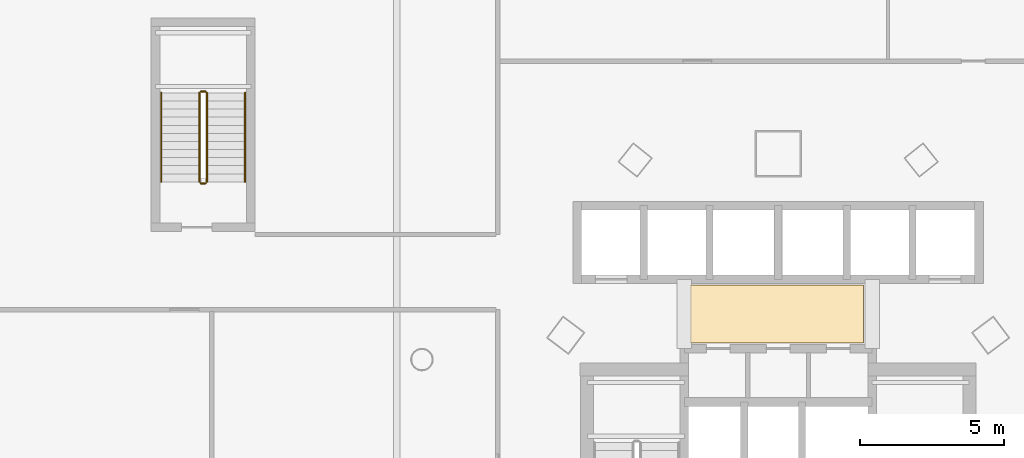
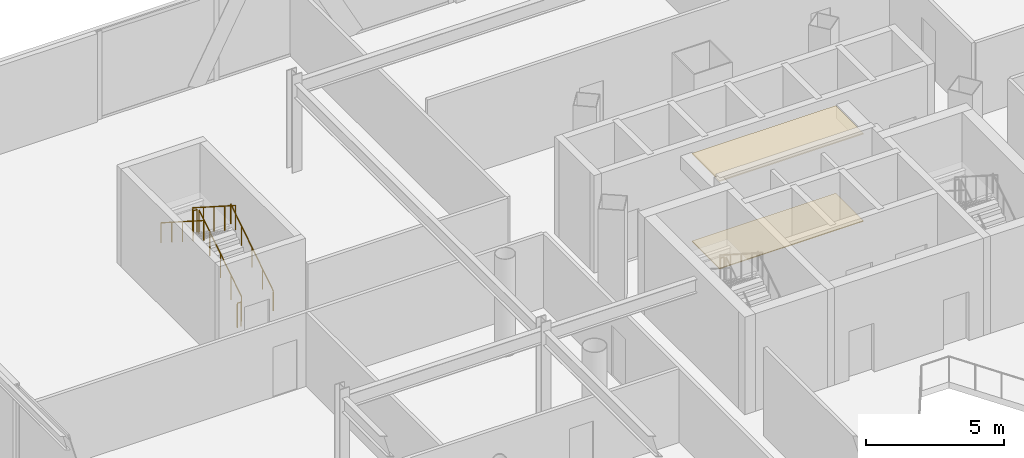
# One storey, part 44 of 46: 6 railings, 2 coverings.
"""IFC4 building model written with IfcOpenShell, lengths in metres."""

from ifc_helpers import new_model, si_unit, direction, frame, origin, origin_2d, place, context, subcontext, project, spatial, polyline, circle, outline, extrude, material, layer, layer_set, type_object, element, save


model = new_model("IFC4")

# Units and contexts
model_context = context("Model", 3, precision=1e-05, world=origin(), true_north=direction((0.0, 1.0)))
body_context = subcontext(model_context, "Body", "Model", "MODEL_VIEW")
ifc_project = project(units=[si_unit("LENGTHUNIT", "METRE"), si_unit("AREAUNIT", "SQUARE_METRE"), si_unit("VOLUMEUNIT", "CUBIC_METRE"), si_unit("PLANEANGLEUNIT", "RADIAN"), si_unit("MASSUNIT", "GRAM", prefix="KILO")], contexts=[model_context])

# Site, building, storey
site_placement = place(None, origin())
site = spatial("IfcSite", under=ifc_project, at=site_placement, CompositionType="ELEMENT")
building_placement = place(site_placement, origin())
building = spatial("IfcBuilding", under=site, at=building_placement, Name="Orvanel Arch Residences", CompositionType="ELEMENT")
storey_placement = place(building_placement, frame((0.0, 0.0, 14.10009765625)))
storey = spatial("IfcBuildingStorey", under=building, at=storey_placement, Name="L03", CompositionType="ELEMENT", Elevation=14.10009765625)

# Coverings
ifc_material_1 = material(Name="Perforated acoustic mineral-fibre ceiling tile", Category="gypsum")
ifc_layer_1 = layer(ifc_material_1, 0.050048828125)
ifc_layer_set_1 = layer_set([ifc_layer_1], Name="Perforated acoustic mineral-fibre ceiling tile")
covering_type_1 = type_object("IfcCoveringType", Name="COV-CLG-ACS50", PredefinedType="CEILING", material=ifc_layer_set_1)
covering_1_placement = place(storey_placement, frame((0.0, 0.0, 3.849853515625)))
element("IfcCovering", 1, at=covering_1_placement, inside=storey, type_object=covering_type_1, Name="L03 Lift Lobby Acoustic Ceiling", PredefinedType="CEILING", context=body_context, shape_type="SweptSolid", body=[
    extrude(outline(polyline([(29.949951171875, 34.85009765625), (35.949951171875, 34.85009765625), (35.949951171875, 36.85009765625), (29.949951171875, 36.85009765625), (29.949951171875, 34.85009765625)])), origin(), (0.0, 0.0, 1.0), 0.050048828125),
])
ifc_material_2 = material(Name="Honed cementitious terrazzo floor finish", Category="concrete")
ifc_layer_2 = layer(ifc_material_2, 0.034912109375)
ifc_layer_set_2 = layer_set([ifc_layer_2], Name="Honed cementitious terrazzo floor finish")
covering_type_2 = type_object("IfcCoveringType", Name="COV-FLR-TRZ35", PredefinedType="FLOORING", material=ifc_layer_set_2)
covering_2_placement = place(storey_placement, origin())
element("IfcCovering", 2, at=covering_2_placement, inside=storey, type_object=covering_type_2, Name="L03 Lift Lobby Terrazzo Flooring", PredefinedType="FLOORING", context=body_context, shape_type="SweptSolid", body=[
    extrude(outline(polyline([(29.949951171875, 34.85009765625), (35.949951171875, 34.85009765625), (35.949951171875, 36.85009765625), (29.949951171875, 36.85009765625), (29.949951171875, 34.85009765625)])), origin(), (0.0, 0.0, 1.0), 0.034912109375),
])

# Railings
ifc_material_3 = material(Name="Structural steel AS/NZS 1163 C350L0 (Grade 350)", Category="steel")
railing_type_1 = type_object("IfcRailingType", Name="RL-STAIR-GUARD", PredefinedType="GUARDRAIL", material=ifc_material_3)
railing_1_placement = place(storey_placement, frame((13.22998046875, 40.419921875, 0.178955078125)))
element("IfcRailing", 3, at=railing_1_placement, inside=storey, type_object=railing_type_1, Name="L03 ST-3 stair guard 1", PredefinedType="GUARDRAIL", context=body_context, shape_type="SweptSolid", body=[
    extrude(circle(Radius=0.02392578125, at=origin_2d()), frame((0.0, 0.001220703125, 1.076904296875), z_axis=(0.0, 0.842308987159, 0.53899496301), x_axis=(-1.0, 0.0, 0.0)), (0.0, 0.0, 1.0), 3.65380859375),
    extrude(circle(Radius=0.02099609375, at=origin_2d()), origin(), (0.0, 0.0, 1.0), 1.050048828125),
    extrude(circle(Radius=0.02099609375, at=origin_2d()), frame((0.0, 0.77001953125, 0.49267578125)), (0.0, 0.0, 1.0), 1.050048828125),
    extrude(circle(Radius=0.02099609375, at=origin_2d()), frame((0.0, 1.5400390625, 0.9853515625)), (0.0, 0.0, 1.0), 1.050048828125),
    extrude(circle(Radius=0.02099609375, at=origin_2d()), frame((0.0, 2.31005859375, 1.478271484375)), (0.0, 0.0, 1.0), 1.050048828125),
    extrude(circle(Radius=0.02099609375, at=origin_2d()), frame((0.0, 3.080078125, 1.970947265625)), (0.0, 0.0, 1.0), 1.050048828125),
])
railing_2_placement = place(storey_placement, frame((13.179931640625, 43.550048828125, 2.14990234375)))
element("IfcRailing", 4, at=railing_2_placement, inside=storey, type_object=railing_type_1, Name="L03 ST-3 stair guard 2", PredefinedType="GUARDRAIL", context=body_context, shape_type="SweptSolid", body=[
    extrude(circle(Radius=0.02392578125, at=origin_2d()), frame((-0.00146484375, 0.0, 1.076171875), z_axis=(-1.0, 0.0, 0.0), x_axis=(0.0, -1.0, 0.0)), (0.0, 0.0, 1.0), 0.156982421875),
    extrude(circle(Radius=0.02099609375, at=origin_2d()), origin(), (0.0, 0.0, 1.0), 1.050048828125),
    extrude(circle(Radius=0.02099609375, at=origin_2d()), frame((-0.159912109375, 0.0, 0.0)), (0.0, 0.0, 1.0), 1.050048828125),
])
railing_3_placement = place(storey_placement, frame((12.969970703125, 43.5, 2.3291015625)))
element("IfcRailing", 5, at=railing_3_placement, inside=storey, type_object=railing_type_1, Name="L03 ST-3 stair guard 3", PredefinedType="GUARDRAIL", context=body_context, shape_type="SweptSolid", body=[
    extrude(circle(Radius=0.02392578125, at=origin_2d()), frame((0.0, -0.001220703125, 1.076904296875), z_axis=(0.0, -0.842339298311, 0.538947591627), x_axis=(1.0, 0.0, 0.0)), (0.0, 0.0, 1.0), 3.653564453125),
    extrude(circle(Radius=0.02099609375, at=origin_2d()), origin(), (0.0, 0.0, 1.0), 1.050048828125),
    extrude(circle(Radius=0.02099609375, at=origin_2d()), frame((0.0, -0.77001953125, 0.49267578125)), (0.0, 0.0, 1.0), 1.050048828125),
    extrude(circle(Radius=0.02099609375, at=origin_2d()), frame((0.0, -1.5400390625, 0.9853515625)), (0.0, 0.0, 1.0), 1.050048828125),
    extrude(circle(Radius=0.02099609375, at=origin_2d()), frame((0.0, -2.31005859375, 1.47802734375)), (0.0, 0.0, 1.0), 1.050048828125),
    extrude(circle(Radius=0.02099609375, at=origin_2d()), frame((0.0, -3.080078125, 1.970703125)), (0.0, 0.0, 1.0), 1.050048828125),
])
railing_4_placement = place(storey_placement, frame((13.179931640625, 40.3701171875, 0.0)))
element("IfcRailing", 6, at=railing_4_placement, inside=storey, type_object=railing_type_1, Name="L03 ST-3 stair guard 4", PredefinedType="GUARDRAIL", context=body_context, shape_type="SweptSolid", body=[
    extrude(circle(Radius=0.02392578125, at=origin_2d()), frame((-0.00146484375, 0.0, 1.076171875), z_axis=(-1.0, 0.0, 0.0), x_axis=(0.0, -1.0, 0.0)), (0.0, 0.0, 1.0), 0.156982421875),
    extrude(circle(Radius=0.02099609375, at=origin_2d()), origin(), (0.0, 0.0, 1.0), 1.050048828125),
    extrude(circle(Radius=0.02099609375, at=origin_2d()), frame((-0.159912109375, 0.0, 0.0)), (0.0, 0.0, 1.0), 1.050048828125),
])
railing_type_2 = type_object("IfcRailingType", Name="RL-STAIR-HAND", PredefinedType="HANDRAIL", material=ifc_material_3)
railing_5_placement = place(storey_placement, frame((14.550048828125, 40.419921875, 0.178955078125)))
element("IfcRailing", 7, at=railing_5_placement, inside=storey, type_object=railing_type_2, Name="L03 ST-3 stair handrail 1", PredefinedType="HANDRAIL", context=body_context, shape_type="SweptSolid", body=[
    extrude(circle(Radius=0.02392578125, at=origin_2d()), frame((0.0, 0.001220703125, 0.876708984375), z_axis=(0.0, 0.842308987159, 0.53899496301), x_axis=(-1.0, 0.0, 0.0)), (0.0, 0.0, 1.0), 3.65380859375),
    extrude(circle(Radius=0.02099609375, at=origin_2d()), origin(), (0.0, 0.0, 1.0), 0.849853515625),
    extrude(circle(Radius=0.02099609375, at=origin_2d()), frame((0.0, 0.77001953125, 0.49267578125)), (0.0, 0.0, 1.0), 0.849853515625),
    extrude(circle(Radius=0.02099609375, at=origin_2d()), frame((0.0, 1.5400390625, 0.9853515625)), (0.0, 0.0, 1.0), 0.849853515625),
    extrude(circle(Radius=0.02099609375, at=origin_2d()), frame((0.0, 2.31005859375, 1.478271484375)), (0.0, 0.0, 1.0), 0.849853515625),
    extrude(circle(Radius=0.02099609375, at=origin_2d()), frame((0.0, 3.080078125, 1.970947265625)), (0.0, 0.0, 1.0), 0.849853515625),
])
railing_6_placement = place(storey_placement, frame((11.64990234375, 43.5, 2.3291015625)))
element("IfcRailing", 8, at=railing_6_placement, inside=storey, type_object=railing_type_2, Name="L03 ST-3 stair handrail 2", PredefinedType="HANDRAIL", context=body_context, shape_type="SweptSolid", body=[
    extrude(circle(Radius=0.02392578125, at=origin_2d()), frame((0.0, -0.001220703125, 0.876708984375), z_axis=(0.0, -0.842339298311, 0.538947591627), x_axis=(1.0, 0.0, 0.0)), (0.0, 0.0, 1.0), 3.653564453125),
    extrude(circle(Radius=0.02099609375, at=origin_2d()), origin(), (0.0, 0.0, 1.0), 0.849853515625),
    extrude(circle(Radius=0.02099609375, at=origin_2d()), frame((0.0, -0.77001953125, 0.49267578125)), (0.0, 0.0, 1.0), 0.849853515625),
    extrude(circle(Radius=0.02099609375, at=origin_2d()), frame((0.0, -1.5400390625, 0.9853515625)), (0.0, 0.0, 1.0), 0.849853515625),
    extrude(circle(Radius=0.02099609375, at=origin_2d()), frame((0.0, -2.31005859375, 1.47802734375)), (0.0, 0.0, 1.0), 0.849853515625),
    extrude(circle(Radius=0.02099609375, at=origin_2d()), frame((0.0, -3.080078125, 1.970703125)), (0.0, 0.0, 1.0), 0.849853515625),
])

save(model, "model.ifc")
